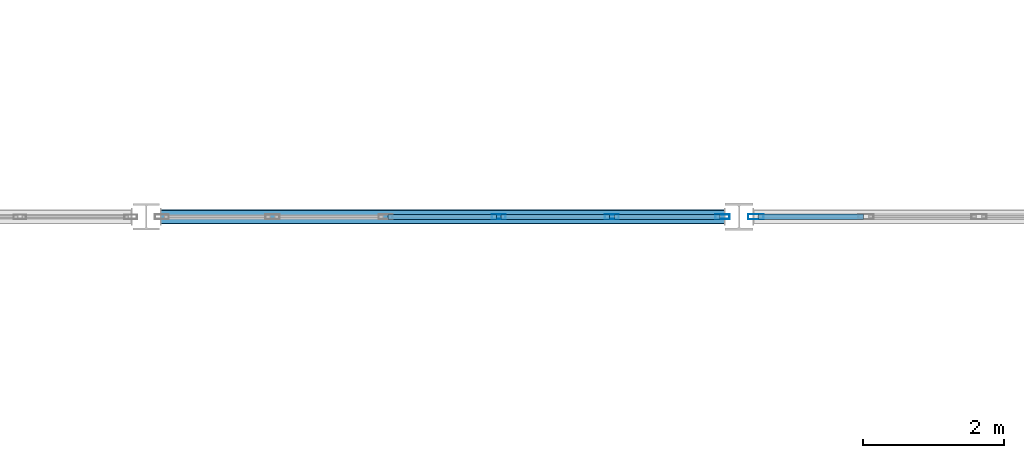
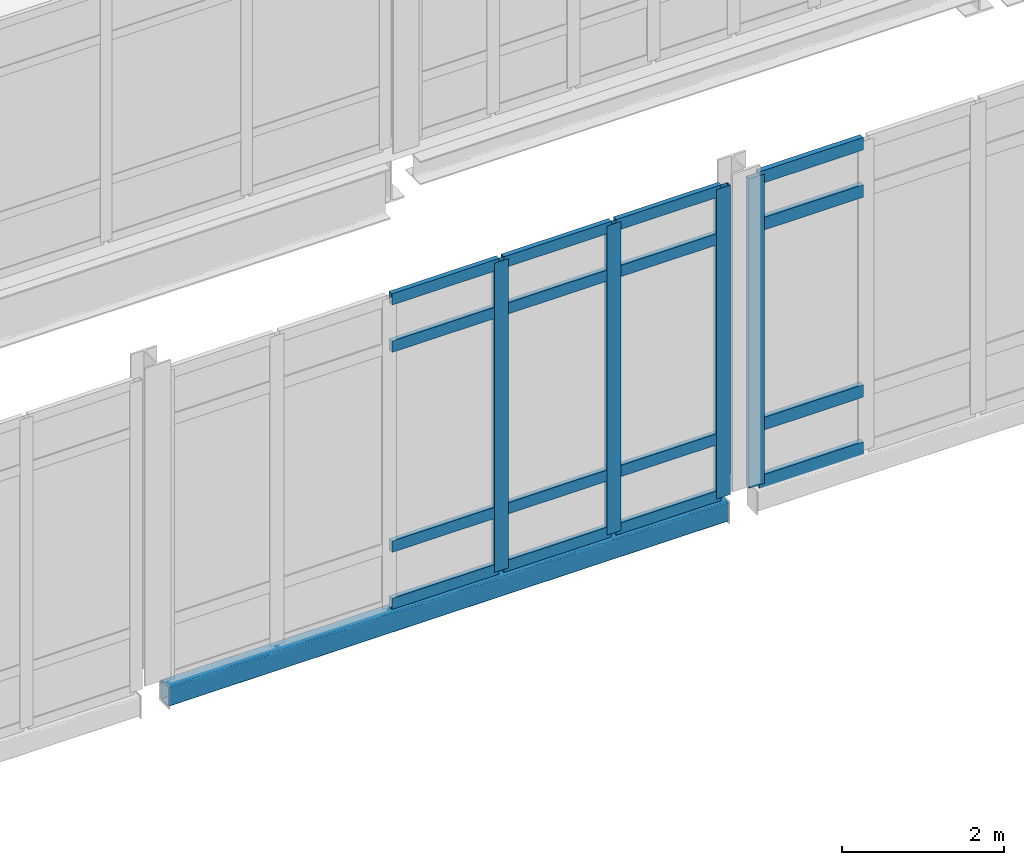
# One storey, part 22 of 186: 20 members, 1 beam, 2 elements without a shape of their own.
"""IFC4 building model written with IfcOpenShell, lengths in metres."""

from ifc_helpers import new_model, si_unit, direction, frame, origin, origin_2d, place, context, subcontext, project, spatial, hollow_rectangle, extrude, material, layer, layer_set, material_profile, profile_set, type_object, element, aggregate, save


model = new_model("IFC4")

# Units and contexts
model_context = context("Model", 3, precision=1e-05, world=origin(), true_north=direction((0.0, 1.0)))
body_context = subcontext(model_context, "Body", "Model", "MODEL_VIEW")
ifc_project = project(units=[si_unit("LENGTHUNIT", "METRE"), si_unit("AREAUNIT", "SQUARE_METRE"), si_unit("VOLUMEUNIT", "CUBIC_METRE"), si_unit("PLANEANGLEUNIT", "RADIAN"), si_unit("MASSUNIT", "GRAM", prefix="KILO")], contexts=[model_context])

# Site, building, storey
site_placement = place(None, origin())
site = spatial("IfcSite", under=ifc_project, at=site_placement, CompositionType="ELEMENT")
building_placement = place(site_placement, origin())
building = spatial("IfcBuilding", under=site, at=building_placement, Name="Calvrana Isthmian Art Gallery", CompositionType="ELEMENT")
storey_placement = place(building_placement, frame((0.0, 0.0, 5.39990234375)))
storey = spatial("IfcBuildingStorey", under=building, at=storey_placement, Name="L01", CompositionType="ELEMENT", Elevation=5.39990234375)

# Beam
ifc_material_1 = material(Name="Steel ASTM A500 Gr C", Category="steel")
ifc_material_profile_1 = material_profile(ifc_material_1, hollow_rectangle(XDim=0.203125, YDim=0.3046875, WallThickness=0.0126953125, OuterFilletRadius=0.02490234375, at=origin_2d()), Name="HSS305X203X12.7")
ifc_profile_set_1 = profile_set([ifc_material_profile_1], Name="Steel ASTM A500 Gr C")
beam_type = type_object("IfcBeamType", Name="BM-SP-HSS305", PredefinedType="SPANDREL", material=ifc_profile_set_1)
beam_placement = place(storey_placement, frame((38.60302734375, 21.60009765625, -0.349853515625), z_axis=(1.0, 0.0, 0.0), x_axis=(0.0, 1.0, 0.0)))
element("IfcBeam", 1, at=beam_placement, inside=storey, type_object=beam_type, Name="Foyer double-height spandrel L01 06-07/D", PredefinedType="SPANDREL", context=body_context, shape_type="SweptSolid", body=[
    extrude(hollow_rectangle(XDim=0.203125, YDim=0.3046875, WallThickness=0.0126953125, OuterFilletRadius=0.02490234375, at=origin_2d()), origin(), (0.0, 0.0, 1.0), 7.99658203125),
])

# Curtain wall, members
ifc_material_2 = material(Name="Anodized bronze aluminium 6063-T6", Category="aluminium")
ifc_layer = layer(ifc_material_2, 0.179931640625, Name="Anodized bronze aluminium 6063-T6")
ifc_layer_set = layer_set([ifc_layer], Name="Anodized bronze aluminium 6063-T6")
curtain_wall_type = type_object("IfcCurtainWallType", Name="CW-STICK-080X47", PredefinedType="NOTDEFINED", material=ifc_layer_set)
curtain_wall_1_placement = place(storey_placement, origin())
curtain_wall_1 = element("IfcCurtainWall", 2, at=curtain_wall_1_placement, inside=storey, type_object=curtain_wall_type, Name="Curtain wall CW-003", PredefinedType="NOTDEFINED")
ifc_material_profile_2 = material_profile(ifc_material_2, hollow_rectangle(XDim=0.070068359375, YDim=0.199951171875, WallThickness=0.0048828125, at=origin_2d()), Name="CWM70X200")
ifc_profile_set_2 = profile_set([ifc_material_profile_2], Name="Anodized bronze aluminium 6063-T6")
member_type_1 = type_object("IfcMemberType", Name="CWM-CWM70X200", PredefinedType="MULLION", material=ifc_profile_set_2)
member_1_placement = place(storey_placement, frame((46.5654296875, 21.60009765625, -0.14990234375), z_axis=(0.0, 0.0, 1.0), x_axis=(0.0, -1.0, 0.0)))
member_1 = element("IfcMember", 3, at=member_1_placement, type_object=member_type_1, Name="CW-003 mullion 1", PredefinedType="MULLION", context=body_context, shape_type="SweptSolid", body=[
    extrude(hollow_rectangle(XDim=0.070068359375, YDim=0.199951171875, WallThickness=0.0048828125, at=origin_2d()), origin(), (0.0, 0.0, 1.0), 4.669921875),
])
member_2_placement = place(storey_placement, frame((44.997802734375, 21.60009765625, -0.14990234375), z_axis=(0.0, 0.0, 1.0), x_axis=(0.0, -1.0, 0.0)))
member_2 = element("IfcMember", 4, at=member_2_placement, type_object=member_type_1, Name="CW-003 mullion 2", PredefinedType="MULLION", context=body_context, shape_type="SweptSolid", body=[
    extrude(hollow_rectangle(XDim=0.070068359375, YDim=0.199951171875, WallThickness=0.0048828125, at=origin_2d()), origin(), (0.0, 0.0, 1.0), 4.669921875),
])
member_3_placement = place(storey_placement, frame((43.39501953125, 21.60009765625, -0.14990234375), z_axis=(0.0, 0.0, 1.0), x_axis=(0.0, -1.0, 0.0)))
member_3 = element("IfcMember", 5, at=member_3_placement, type_object=member_type_1, Name="CW-003 mullion 3", PredefinedType="MULLION", context=body_context, shape_type="SweptSolid", body=[
    extrude(hollow_rectangle(XDim=0.070068359375, YDim=0.199951171875, WallThickness=0.0048828125, at=origin_2d()), origin(), (0.0, 0.0, 1.0), 4.669921875),
])

# Curtain wall, member
curtain_wall_2_placement = place(storey_placement, origin())
curtain_wall_2 = element("IfcCurtainWall", 6, at=curtain_wall_2_placement, inside=storey, type_object=curtain_wall_type, Name="Curtain wall CW-004", PredefinedType="NOTDEFINED")
ifc_material_profile_3 = material_profile(ifc_material_2, hollow_rectangle(XDim=0.074951171875, YDim=0.219970703125, WallThickness=0.0048828125, at=origin_2d()), Name="CWM75X220")
ifc_profile_set_3 = profile_set([ifc_material_profile_3], Name="Anodized bronze aluminium 6063-T6")
member_type_2 = type_object("IfcMemberType", Name="CWM-CWM75X220", PredefinedType="MULLION", material=ifc_profile_set_3)
member_4_placement = place(storey_placement, frame((47.037109375, 21.60009765625, -0.14990234375), z_axis=(0.0, 0.0, 1.0), x_axis=(0.0, -1.0, 0.0)))
member_4 = element("IfcMember", 7, at=member_4_placement, type_object=member_type_2, Name="CW-004 mullion 6", PredefinedType="MULLION", context=body_context, shape_type="SweptSolid", body=[
    extrude(hollow_rectangle(XDim=0.074951171875, YDim=0.219970703125, WallThickness=0.0048828125, at=origin_2d()), origin(), (0.0, 0.0, 1.0), 4.669921875),
])

# Member
ifc_material_profile_4 = material_profile(ifc_material_2, hollow_rectangle(XDim=0.070068359375, YDim=0.169921875, WallThickness=0.00439453125, at=origin_2d()), Name="CWT70X170")
ifc_profile_set_4 = profile_set([ifc_material_profile_4], Name="Anodized bronze aluminium 6063-T6")
member_type_3 = type_object("IfcMemberType", Name="CWT-CWT70X170", PredefinedType="USERDEFINED", material=ifc_profile_set_4)
member_5_placement = place(storey_placement, frame((46.530517578125, 21.60009765625, -0.114990234375), z_axis=(-1.0, 0.0, 0.0), x_axis=(0.0, -1.0, 0.0)))
member_5 = element("IfcMember", 8, at=member_5_placement, type_object=member_type_3, Name="CW-003 transom 1.1", ObjectType="TRANSOM", PredefinedType="USERDEFINED", context=body_context, shape_type="SweptSolid", body=[
    extrude(hollow_rectangle(XDim=0.070068359375, YDim=0.169921875, WallThickness=0.00439453125, at=origin_2d()), origin(), (0.0, 0.0, 1.0), 1.497802734375),
])

member_6_placement = place(storey_placement, frame((46.530517578125, 21.60009765625, 0.75), z_axis=(-1.0, 0.0, 0.0), x_axis=(0.0, -1.0, 0.0)))
member_6 = element("IfcMember", 9, at=member_6_placement, type_object=member_type_3, Name="CW-003 transom 1.2", ObjectType="TRANSOM", PredefinedType="USERDEFINED", context=body_context, shape_type="SweptSolid", body=[
    extrude(hollow_rectangle(XDim=0.070068359375, YDim=0.169921875, WallThickness=0.00439453125, at=origin_2d()), origin(), (0.0, 0.0, 1.0), 1.497802734375),
])

member_7_placement = place(storey_placement, frame((46.530517578125, 21.60009765625, 3.77001953125), z_axis=(-1.0, 0.0, 0.0), x_axis=(0.0, -1.0, 0.0)))
member_7 = element("IfcMember", 10, at=member_7_placement, type_object=member_type_3, Name="CW-003 transom 1.3", ObjectType="TRANSOM", PredefinedType="USERDEFINED", context=body_context, shape_type="SweptSolid", body=[
    extrude(hollow_rectangle(XDim=0.070068359375, YDim=0.169921875, WallThickness=0.00439453125, at=origin_2d()), origin(), (0.0, 0.0, 1.0), 1.497802734375),
])

member_8_placement = place(storey_placement, frame((46.530517578125, 21.60009765625, 4.485107421875), z_axis=(-1.0, 0.0, 0.0), x_axis=(0.0, -1.0, 0.0)))
member_8 = element("IfcMember", 11, at=member_8_placement, type_object=member_type_3, Name="CW-003 transom 1.4", ObjectType="TRANSOM", PredefinedType="USERDEFINED", context=body_context, shape_type="SweptSolid", body=[
    extrude(hollow_rectangle(XDim=0.070068359375, YDim=0.169921875, WallThickness=0.00439453125, at=origin_2d()), origin(), (0.0, 0.0, 1.0), 1.497802734375),
])

member_9_placement = place(storey_placement, frame((44.962646484375, 21.60009765625, -0.114990234375), z_axis=(-1.0, 0.0, 0.0), x_axis=(0.0, -1.0, 0.0)))
member_9 = element("IfcMember", 12, at=member_9_placement, type_object=member_type_3, Name="CW-003 transom 2.1", ObjectType="TRANSOM", PredefinedType="USERDEFINED", context=body_context, shape_type="SweptSolid", body=[
    extrude(hollow_rectangle(XDim=0.070068359375, YDim=0.169921875, WallThickness=0.00439453125, at=origin_2d()), origin(), (0.0, 0.0, 1.0), 1.53271484375),
])

member_10_placement = place(storey_placement, frame((44.962646484375, 21.60009765625, 0.75), z_axis=(-1.0, 0.0, 0.0), x_axis=(0.0, -1.0, 0.0)))
member_10 = element("IfcMember", 13, at=member_10_placement, type_object=member_type_3, Name="CW-003 transom 2.2", ObjectType="TRANSOM", PredefinedType="USERDEFINED", context=body_context, shape_type="SweptSolid", body=[
    extrude(hollow_rectangle(XDim=0.070068359375, YDim=0.169921875, WallThickness=0.00439453125, at=origin_2d()), origin(), (0.0, 0.0, 1.0), 1.53271484375),
])

member_11_placement = place(storey_placement, frame((44.962646484375, 21.60009765625, 3.77001953125), z_axis=(-1.0, 0.0, 0.0), x_axis=(0.0, -1.0, 0.0)))
member_11 = element("IfcMember", 14, at=member_11_placement, type_object=member_type_3, Name="CW-003 transom 2.3", ObjectType="TRANSOM", PredefinedType="USERDEFINED", context=body_context, shape_type="SweptSolid", body=[
    extrude(hollow_rectangle(XDim=0.070068359375, YDim=0.169921875, WallThickness=0.00439453125, at=origin_2d()), origin(), (0.0, 0.0, 1.0), 1.53271484375),
])

member_12_placement = place(storey_placement, frame((44.962646484375, 21.60009765625, 4.485107421875), z_axis=(-1.0, 0.0, 0.0), x_axis=(0.0, -1.0, 0.0)))
member_12 = element("IfcMember", 15, at=member_12_placement, type_object=member_type_3, Name="CW-003 transom 2.4", ObjectType="TRANSOM", PredefinedType="USERDEFINED", context=body_context, shape_type="SweptSolid", body=[
    extrude(hollow_rectangle(XDim=0.070068359375, YDim=0.169921875, WallThickness=0.00439453125, at=origin_2d()), origin(), (0.0, 0.0, 1.0), 1.53271484375),
])

member_13_placement = place(storey_placement, frame((43.35986328125, 21.60009765625, -0.114990234375), z_axis=(-1.0, 0.0, 0.0), x_axis=(0.0, -1.0, 0.0)))
member_13 = element("IfcMember", 16, at=member_13_placement, type_object=member_type_3, Name="CW-003 transom 3.1", ObjectType="TRANSOM", PredefinedType="USERDEFINED", context=body_context, shape_type="SweptSolid", body=[
    extrude(hollow_rectangle(XDim=0.070068359375, YDim=0.169921875, WallThickness=0.00439453125, at=origin_2d()), origin(), (0.0, 0.0, 1.0), 1.53271484375),
])

member_14_placement = place(storey_placement, frame((43.35986328125, 21.60009765625, 0.75), z_axis=(-1.0, 0.0, 0.0), x_axis=(0.0, -1.0, 0.0)))
member_14 = element("IfcMember", 17, at=member_14_placement, type_object=member_type_3, Name="CW-003 transom 3.2", ObjectType="TRANSOM", PredefinedType="USERDEFINED", context=body_context, shape_type="SweptSolid", body=[
    extrude(hollow_rectangle(XDim=0.070068359375, YDim=0.169921875, WallThickness=0.00439453125, at=origin_2d()), origin(), (0.0, 0.0, 1.0), 1.53271484375),
])

member_15_placement = place(storey_placement, frame((43.35986328125, 21.60009765625, 3.77001953125), z_axis=(-1.0, 0.0, 0.0), x_axis=(0.0, -1.0, 0.0)))
member_15 = element("IfcMember", 18, at=member_15_placement, type_object=member_type_3, Name="CW-003 transom 3.3", ObjectType="TRANSOM", PredefinedType="USERDEFINED", context=body_context, shape_type="SweptSolid", body=[
    extrude(hollow_rectangle(XDim=0.070068359375, YDim=0.169921875, WallThickness=0.00439453125, at=origin_2d()), origin(), (0.0, 0.0, 1.0), 1.53271484375),
])

member_16_placement = place(storey_placement, frame((43.35986328125, 21.60009765625, 4.485107421875), z_axis=(-1.0, 0.0, 0.0), x_axis=(0.0, -1.0, 0.0)))
member_16 = element("IfcMember", 19, at=member_16_placement, type_object=member_type_3, Name="CW-003 transom 3.4", ObjectType="TRANSOM", PredefinedType="USERDEFINED", context=body_context, shape_type="SweptSolid", body=[
    extrude(hollow_rectangle(XDim=0.070068359375, YDim=0.169921875, WallThickness=0.00439453125, at=origin_2d()), origin(), (0.0, 0.0, 1.0), 1.53271484375),
])

aggregate(curtain_wall_1, [member_1, member_2, member_3, member_5, member_6, member_7, member_8, member_9, member_10, member_11, member_12, member_13, member_14, member_15, member_16])

ifc_material_profile_5 = material_profile(ifc_material_2, hollow_rectangle(XDim=0.074951171875, YDim=0.18994140625, WallThickness=0.00439453125, at=origin_2d()), Name="CWT75X190")
ifc_profile_set_5 = profile_set([ifc_material_profile_5], Name="Anodized bronze aluminium 6063-T6")
member_type_4 = type_object("IfcMemberType", Name="CWT-CWT75X190", PredefinedType="USERDEFINED", material=ifc_profile_set_5)
member_17_placement = place(storey_placement, frame((48.5625, 21.60009765625, -0.1123046875), z_axis=(-1.0, 0.0, 0.0), x_axis=(0.0, -1.0, 0.0)))
member_17 = element("IfcMember", 20, at=member_17_placement, type_object=member_type_4, Name="CW-004 transom 5.1", ObjectType="TRANSOM", PredefinedType="USERDEFINED", context=body_context, shape_type="SweptSolid", body=[
    extrude(hollow_rectangle(XDim=0.074951171875, YDim=0.18994140625, WallThickness=0.00439453125, at=origin_2d()), origin(), (0.0, 0.0, 1.0), 1.488037109375),
])

member_18_placement = place(storey_placement, frame((48.5625, 21.60009765625, 0.75), z_axis=(-1.0, 0.0, 0.0), x_axis=(0.0, -1.0, 0.0)))
member_18 = element("IfcMember", 21, at=member_18_placement, type_object=member_type_4, Name="CW-004 transom 5.2", ObjectType="TRANSOM", PredefinedType="USERDEFINED", context=body_context, shape_type="SweptSolid", body=[
    extrude(hollow_rectangle(XDim=0.074951171875, YDim=0.18994140625, WallThickness=0.00439453125, at=origin_2d()), origin(), (0.0, 0.0, 1.0), 1.488037109375),
])

member_19_placement = place(storey_placement, frame((48.5625, 21.60009765625, 3.77001953125), z_axis=(-1.0, 0.0, 0.0), x_axis=(0.0, -1.0, 0.0)))
member_19 = element("IfcMember", 22, at=member_19_placement, type_object=member_type_4, Name="CW-004 transom 5.3", ObjectType="TRANSOM", PredefinedType="USERDEFINED", context=body_context, shape_type="SweptSolid", body=[
    extrude(hollow_rectangle(XDim=0.074951171875, YDim=0.18994140625, WallThickness=0.00439453125, at=origin_2d()), origin(), (0.0, 0.0, 1.0), 1.488037109375),
])

member_20_placement = place(storey_placement, frame((48.5625, 21.60009765625, 4.482666015625), z_axis=(-1.0, 0.0, 0.0), x_axis=(0.0, -1.0, 0.0)))
member_20 = element("IfcMember", 23, at=member_20_placement, type_object=member_type_4, Name="CW-004 transom 5.4", ObjectType="TRANSOM", PredefinedType="USERDEFINED", context=body_context, shape_type="SweptSolid", body=[
    extrude(hollow_rectangle(XDim=0.074951171875, YDim=0.18994140625, WallThickness=0.00439453125, at=origin_2d()), origin(), (0.0, 0.0, 1.0), 1.488037109375),
])

aggregate(curtain_wall_2, [member_4, member_17, member_18, member_19, member_20])

save(model, "model.ifc")
